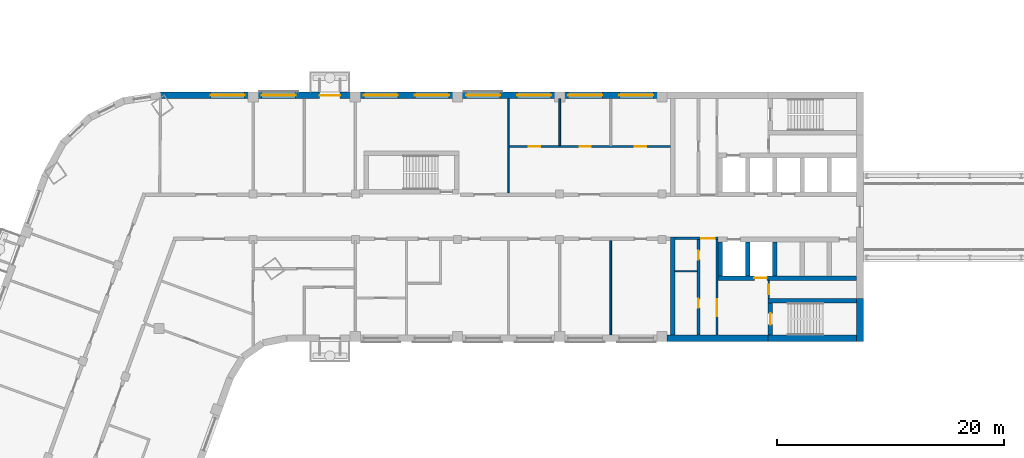
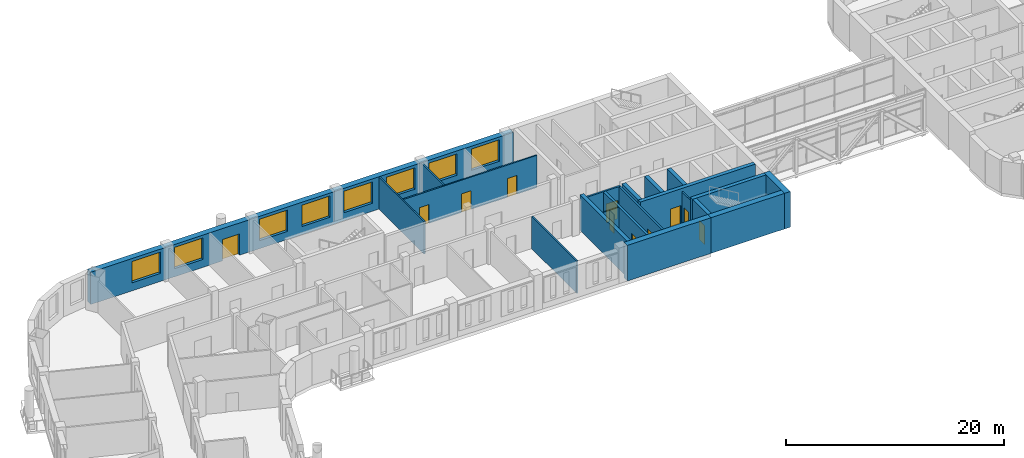
# One storey, part 8 of 18: 20 walls, 11 doors, 8 windows, 19 openings.
"""IFC4 building model written with IfcOpenShell, lengths in metres."""

from ifc_helpers import new_model, si_unit, direction, frame, frame_2d, origin, place, context, subcontext, project, spatial, rectangle, extrude, material, layer, layer_set, type_object, element, fill, save


model = new_model("IFC4")

# Units and contexts
model_context = context("Model", 3, precision=1e-05, world=origin(), true_north=direction((0.0, 1.0)))
body_context = subcontext(model_context, "Body", "Model", "MODEL_VIEW")
ifc_project = project(units=[si_unit("LENGTHUNIT", "METRE"), si_unit("AREAUNIT", "SQUARE_METRE"), si_unit("VOLUMEUNIT", "CUBIC_METRE"), si_unit("PLANEANGLEUNIT", "RADIAN"), si_unit("MASSUNIT", "GRAM", prefix="KILO")], contexts=[model_context])

# Site, building, storey
site_placement = place(None, origin())
site = spatial("IfcSite", under=ifc_project, at=site_placement, CompositionType="ELEMENT")
building_placement = place(site_placement, origin())
building = spatial("IfcBuilding", under=site, at=building_placement, Name="Skarvind Civic Tower", CompositionType="ELEMENT")
storey_placement = place(building_placement, frame((0.0, 0.0, 31.5)))
storey = spatial("IfcBuildingStorey", under=building, at=storey_placement, Name="L06", CompositionType="ELEMENT", Elevation=31.5)

# Wall, opening, door
ifc_material_1 = material(Name="Fire-rated masonry partition", Category="masonry")
ifc_layer_1 = layer(ifc_material_1, 0.199951171875)
ifc_layer_set_1 = layer_set([ifc_layer_1], Name="Core enclosure wall 200")
wall_type_1 = type_object("IfcWallType", Name="Core enclosure wall 200", PredefinedType="PARTITIONING", material=ifc_layer_set_1)
wall_1_placement = place(storey_placement, frame((95.199951171875, 126.10009765625, 0.0), z_axis=(0.0, 0.0, 1.0), x_axis=(-1.0, 0.0, 0.0)))
wall_1 = element("IfcWall", 1, at=wall_1_placement, inside=storey, type_object=wall_type_1, Name="Core wall C1", PredefinedType="PARTITIONING", context=body_context, shape_type="SweptSolid", body=[
    extrude(rectangle(XDim=3.800048828125, YDim=0.199951171875, at=frame_2d((1.89990234375, 0.0))), origin(), (0.0, 0.0, 1.0), 3.625),
])
opening_1_placement = place(wall_1_placement, frame((0.300048828125, 0.0, 0.0)))
opening_1 = element("IfcOpeningElement", 2, at=opening_1_placement, cuts=wall_1, Name="Opening D-L06-C1-05", PredefinedType="OPENING", context=body_context, shape_type="SweptSolid", body=[
    extrude(rectangle(XDim=1.199951171875, YDim=2.10009765625, at=frame_2d((0.60009765625, 1.050048828125))), frame((0.0, 0.10986328125, 0.0), z_axis=(0.0, -1.0, 0.0), x_axis=(1.0, 0.0, 0.0)), (0.0, 0.0, 1.0), 0.219970703125),
])
ifc_material_2 = material(Name="Fire-rated steel door", Category="steel")
door_type_1 = type_object("IfcDoorType", Name="Core lobby door 1200", OperationType="NOTDEFINED", PredefinedType="DOOR", material=ifc_material_2)
door_1_placement = place(opening_1_placement, origin())
door_1 = element("IfcDoor", 3, at=door_1_placement, inside=storey, type_object=door_type_1, Name="Fire door", OperationType="DOUBLE_DOOR_SINGLE_SWING", OverallHeight=2.10009765625, OverallWidth=1.199951171875, PredefinedType="DOOR", context=body_context, shape_type="SweptSolid", body=[
    extrude(rectangle(XDim=1.199951171875, YDim=2.10009765625, at=frame_2d((0.60009765625, 1.050048828125))), frame((0.0, 0.02490234375, 0.0), z_axis=(0.0, -1.0, 0.0), x_axis=(1.0, 0.0, 0.0)), (0.0, 0.0, 1.0), 0.050048828125),
])
fill(opening_1, door_1)

wall_2_placement = place(storey_placement, frame((95.10009765625, 117.60009765625, 0.0), z_axis=(0.0, 0.0, 1.0), x_axis=(0.0, 1.0, 0.0)))
wall_2 = element("IfcWall", 4, at=wall_2_placement, inside=storey, type_object=wall_type_1, Name="Core wall C1", PredefinedType="PARTITIONING", context=body_context, shape_type="SweptSolid", body=[
    extrude(rectangle(XDim=8.39990234375, YDim=0.199951171875, at=frame_2d((4.199951171875, 0.0))), origin(), (0.0, 0.0, 1.0), 3.625),
])
opening_2_placement = place(wall_2_placement, frame((1.64990234375, 0.0, 0.0)))
opening_2 = element("IfcOpeningElement", 5, at=opening_2_placement, cuts=wall_2, Name="Opening D-L06-C1-06", PredefinedType="OPENING", context=body_context, shape_type="SweptSolid", body=[
    extrude(rectangle(XDim=1.5, YDim=2.10009765625, at=frame_2d((0.75, 1.050048828125))), frame((0.0, 0.10986328125, 0.0), z_axis=(0.0, -1.0, 0.0), x_axis=(1.0, 0.0, 0.0)), (0.0, 0.0, 1.0), 0.219970703125),
])
door_type_2 = type_object("IfcDoorType", Name="Fire door 1500", OperationType="NOTDEFINED", PredefinedType="DOOR", material=ifc_material_2)
door_2_placement = place(opening_2_placement, origin())
door_2 = element("IfcDoor", 6, at=door_2_placement, inside=storey, type_object=door_type_2, Name="Fire door", OperationType="DOUBLE_DOOR_SINGLE_SWING", OverallHeight=2.10009765625, OverallWidth=1.5, PredefinedType="DOOR", context=body_context, shape_type="SweptSolid", body=[
    extrude(rectangle(XDim=1.5, YDim=2.10009765625, at=frame_2d((0.75, 1.050048828125))), frame((0.0, 0.02490234375, 0.0), z_axis=(0.0, -1.0, 0.0), x_axis=(1.0, 0.0, 0.0)), (0.0, 0.0, 1.0), 0.050048828125),
])
fill(opening_2, door_2)

# Walls
ifc_material_3 = material(Name="Fire-rated plasterboard partition")
ifc_layer_2 = layer(ifc_material_3, 0.10009765625)
ifc_layer_set_2 = layer_set([ifc_layer_2], Name="Core partition wall 100")
wall_type_2 = type_object("IfcWallType", Name="Core partition wall 100", PredefinedType="PARTITIONING", material=ifc_layer_set_2)
wall_3_placement = place(storey_placement, frame((93.35009765625, 123.199951171875, 0.0), z_axis=(0.0, 0.0, 1.0), x_axis=(-1.0, 0.0, 0.0)))
element("IfcWall", 7, at=wall_3_placement, inside=storey, type_object=wall_type_2, Name="Core wall C1", PredefinedType="PARTITIONING", context=body_context, shape_type="SweptSolid", body=[
    extrude(rectangle(XDim=1.9501953125, YDim=0.10009765625, at=frame_2d((0.97509765625, 0.0))), origin(), (0.0, 0.0, 1.0), 3.625),
])
ifc_material_4 = material(Name="Concrete C80", Category="concrete")
ifc_layer_3 = layer(ifc_material_4, 0.39990234375)
ifc_layer_set_3 = layer_set([ifc_layer_3], Name="Core wall 400 C80")
wall_type_3 = type_object("IfcWallType", Name="Core wall 400 C80", PredefinedType="SHEAR", material=ifc_layer_set_3)
wall_4_placement = place(storey_placement, frame((107.39990234375, 120.60009765625, 0.0), z_axis=(0.0, 0.0, 1.0), x_axis=(-1.0, 0.0, 0.0)))
element("IfcWall", 8, at=wall_4_placement, inside=storey, type_object=wall_type_3, Name="Core wall C1 north stair inner L06", PredefinedType="SHEAR", context=body_context, shape_type="SweptSolid", body=[
    extrude(rectangle(XDim=7.7998046875, YDim=0.39990234375, at=frame_2d((3.89990234375, 0.0))), origin(), (0.0, 0.0, 1.0), 4.0),
])

# Wall, opening, door
wall_5_placement = place(storey_placement, frame((99.800048828125, 120.39990234375, 0.0), z_axis=(0.0, 0.0, 1.0), x_axis=(0.0, -1.0, 0.0)))
wall_5 = element("IfcWall", 9, at=wall_5_placement, inside=storey, type_object=wall_type_3, Name="Core wall C1 north stair end L06", PredefinedType="SHEAR", context=body_context, shape_type="SweptSolid", body=[
    extrude(rectangle(XDim=2.7998046875, YDim=0.39990234375, at=frame_2d((1.39990234375, 0.0))), origin(), (0.0, 0.0, 1.0), 4.0),
])
opening_3_placement = place(wall_5_placement, frame((0.89990234375, 0.0, 0.0)))
opening_3 = element("IfcOpeningElement", 10, at=opening_3_placement, cuts=wall_5, Name="Opening D-L06-C1-07", PredefinedType="OPENING", context=body_context, shape_type="SweptSolid", body=[
    extrude(rectangle(XDim=1.0, YDim=2.10009765625, at=frame_2d((0.5, 1.050048828125))), frame((0.0, 0.2099609375, 0.0), z_axis=(0.0, -1.0, 0.0), x_axis=(1.0, 0.0, 0.0)), (0.0, 0.0, 1.0), 0.419921875),
])
door_type_3 = type_object("IfcDoorType", Name="Fire door 1000", OperationType="NOTDEFINED", PredefinedType="DOOR", material=ifc_material_2)
door_3_placement = place(opening_3_placement, origin())
door_3 = element("IfcDoor", 11, at=door_3_placement, inside=storey, type_object=door_type_3, Name="Fire door", OperationType="SINGLE_SWING_LEFT", OverallHeight=2.10009765625, OverallWidth=1.0, PredefinedType="DOOR", context=body_context, shape_type="SweptSolid", body=[
    extrude(rectangle(XDim=1.0, YDim=2.10009765625, at=frame_2d((0.5, 1.050048828125))), frame((0.0, 0.02490234375, 0.0), z_axis=(0.0, -1.0, 0.0), x_axis=(1.0, 0.0, 0.0)), (0.0, 0.0, 1.0), 0.050048828125),
])
fill(opening_3, door_3)

wall_6_placement = place(storey_placement, frame((107.39990234375, 122.60009765625, 0.0), z_axis=(0.0, 0.0, 1.0), x_axis=(-1.0, 0.0, 0.0)))
wall_6 = element("IfcWall", 12, at=wall_6_placement, inside=storey, type_object=wall_type_3, Name="Core wall C1 north lift row back L06", PredefinedType="SHEAR", context=body_context, shape_type="SweptSolid", body=[
    extrude(rectangle(XDim=12.199951171875, YDim=0.39990234375, at=frame_2d((6.10009765625, 0.0))), origin(), (0.0, 0.0, 1.0), 4.0),
])
opening_4_placement = place(wall_6_placement, frame((7.89990234375, 0.0, 0.0)))
opening_4 = element("IfcOpeningElement", 13, at=opening_4_placement, cuts=wall_6, Name="Opening LD08104", PredefinedType="OPENING", context=body_context, shape_type="SweptSolid", body=[
    extrude(rectangle(XDim=1.10009765625, YDim=2.10009765625, at=frame_2d((0.550048828125, 1.050048828125))), frame((0.0, 0.2099609375, 0.0), z_axis=(0.0, -1.0, 0.0), x_axis=(1.0, 0.0, 0.0)), (0.0, 0.0, 1.0), 0.419921875),
])
ifc_material_5 = material(Name="Stainless steel landing door", Category="steel")
door_type_4 = type_object("IfcDoorType", Name="Lift landing door 1100", OperationType="DOUBLE_DOOR_SLIDING", PredefinedType="DOOR", material=ifc_material_5)
door_4_placement = place(opening_4_placement, origin())
door_4 = element("IfcDoor", 14, at=door_4_placement, inside=storey, type_object=door_type_4, Name="Lift landing door", OperationType="DOUBLE_DOOR_SLIDING", OverallHeight=2.10009765625, OverallWidth=1.10009765625, PredefinedType="DOOR", context=body_context, shape_type="SweptSolid", body=[
    extrude(rectangle(XDim=1.10009765625, YDim=2.10009765625, at=frame_2d((0.550048828125, 1.050048828125))), frame((0.0, 0.02490234375, 0.0), z_axis=(0.0, -1.0, 0.0), x_axis=(1.0, 0.0, 0.0)), (0.0, 0.0, 1.0), 0.050048828125),
])
fill(opening_4, door_4)

# Walls
for number, where, z_axis, x_axis, name in (
    (15, (100.199951171875, 125.800048828125, 0.0), (0.0, 0.0, 1.0), (0.0, -1.0, 0.0), "Core wall C1 north lift row division 3 L06"),
    (16, (97.800048828125, 125.800048828125, 0.0), (0.0, 0.0, 1.0), (0.0, -1.0, 0.0), "Core wall C1 north lift row division 4 L06"),
    (17, (95.39990234375, 125.800048828125, 0.0), (0.0, 0.0, 1.0), (0.0, -1.0, 0.0), "Core wall C1 north lift row division 5 L06"),
):
    element("IfcWall", number, at=place(storey_placement, frame(where, z_axis=z_axis, x_axis=x_axis)), inside=storey, type_object=wall_type_3, Name=name, PredefinedType="SHEAR", context=body_context, shape_type="SweptSolid", body=[
        extrude(rectangle(XDim=3.0, YDim=0.39990234375, at=frame_2d((1.5, 0.0))), origin(), (0.0, 0.0, 1.0), 4.0),
    ])
wall_7_placement = place(storey_placement, frame((91.199951171875, 126.199951171875, 0.0), z_axis=(0.0, 0.0, 1.0), x_axis=(0.0, -1.0, 0.0)))
element("IfcWall", 18, at=wall_7_placement, inside=storey, type_object=wall_type_3, Name="Core wall C1 north inner face L06", PredefinedType="SHEAR", context=body_context, shape_type="SweptSolid", body=[
    extrude(rectangle(XDim=8.599853515625, YDim=0.39990234375, at=frame_2d((4.2998046875, 0.0))), origin(), (0.0, 0.0, 1.0), 4.0),
])
ifc_layer_4 = layer(ifc_material_4, 0.60009765625)
ifc_layer_set_4 = layer_set([ifc_layer_4], Name="Core wall 600 C80")
wall_type_4 = type_object("IfcWallType", Name="Core wall 600 C80", PredefinedType="SHEAR", material=ifc_layer_set_4)
wall_8_placement = place(storey_placement, frame((107.699951171875, 120.800048828125, 0.0), z_axis=(0.0, 0.0, 1.0), x_axis=(0.0, -1.0, 0.0)))
element("IfcWall", 19, at=wall_8_placement, inside=storey, type_object=wall_type_4, Name="Core wall C1 tip at the north stair L06", PredefinedType="SHEAR", context=body_context, shape_type="SweptSolid", body=[
    extrude(rectangle(XDim=3.800048828125, YDim=0.60009765625, at=frame_2d((1.89990234375, 0.0))), origin(), (0.0, 0.0, 1.0), 4.0),
])
wall_9_placement = place(storey_placement, frame((107.39990234375, 117.300048828125, 0.0), z_axis=(0.0, 0.0, 1.0), x_axis=(-1.0, 0.0, 0.0)))
element("IfcWall", 20, at=wall_9_placement, inside=storey, type_object=wall_type_4, Name="Core wall C1 north side at the stair L06", PredefinedType="SHEAR", context=body_context, shape_type="SweptSolid", body=[
    extrude(rectangle(XDim=7.7998046875, YDim=0.60009765625, at=frame_2d((3.89990234375, 0.0))), origin(), (0.0, 0.0, 1.0), 4.0),
])
wall_10_placement = place(storey_placement, frame((99.60009765625, 117.300048828125, 0.0), z_axis=(0.0, 0.0, 1.0), x_axis=(-1.0, 0.0, 0.0)))
element("IfcWall", 21, at=wall_10_placement, inside=storey, type_object=wall_type_4, Name="Core wall C1 north side L06", PredefinedType="SHEAR", context=body_context, shape_type="SweptSolid", body=[
    extrude(rectangle(XDim=8.900146484375, YDim=0.60009765625, at=frame_2d((4.4501953125, 0.0))), origin(), (0.0, 0.0, 1.0), 4.0),
])
ifc_material_6 = material(Name="Plasterboard partition on steel studs", Category="steel")
ifc_layer_5 = layer(ifc_material_6, 0.14990234375)
ifc_layer_set_5 = layer_set([ifc_layer_5], Name="PARTITION 150")
wall_type_5 = type_object("IfcWallType", Name="PARTITION 150", PredefinedType="PARTITIONING", material=ifc_layer_set_5)
wall_11_placement = place(storey_placement, frame((76.75, 130.10009765625, 0.0), z_axis=(0.0, 0.0, 1.0), x_axis=(0.0, 1.0, 0.0)))
element("IfcWall", 22, at=wall_11_placement, inside=storey, type_object=wall_type_5, Name="Partition 06.038", PredefinedType="PARTITIONING", context=body_context, shape_type="SweptSolid", body=[
    extrude(rectangle(XDim=8.2998046875, YDim=0.14990234375, at=frame_2d((4.14990234375, 0.0))), origin(), (0.0, 0.0, 1.0), 3.625),
])

# Wall, openings, doors
wall_12_placement = place(storey_placement, frame((91.0, 134.199951171875, 0.0), z_axis=(0.0, 0.0, 1.0), x_axis=(-1.0, 0.0, 0.0)))
wall_12 = element("IfcWall", 23, at=wall_12_placement, inside=storey, type_object=wall_type_5, Name="Partition 06.039", PredefinedType="PARTITIONING", context=body_context, shape_type="SweptSolid", body=[
    extrude(rectangle(XDim=14.175048828125, YDim=0.14990234375, at=frame_2d((7.08740234375, 0.0))), origin(), (0.0, 0.0, 1.0), 3.625),
])
opening_5_placement = place(wall_12_placement, frame((2.125, 0.0, 0.0)))
opening_5 = element("IfcOpeningElement", 24, at=opening_5_placement, cuts=wall_12, Name="Opening L06-D001", PredefinedType="OPENING", context=body_context, shape_type="SweptSolid", body=[
    extrude(rectangle(XDim=1.0, YDim=2.10009765625, at=frame_2d((0.5, 1.050048828125))), frame((0.0, 0.0849609375, 0.0), z_axis=(0.0, -1.0, 0.0), x_axis=(1.0, 0.0, 0.0)), (0.0, 0.0, 1.0), 0.169921875),
])
opening_6_placement = place(wall_12_placement, frame((7.0, 0.0, 0.0)))
opening_6 = element("IfcOpeningElement", 25, at=opening_6_placement, cuts=wall_12, Name="Opening L06-D002", PredefinedType="OPENING", context=body_context, shape_type="SweptSolid", body=[
    extrude(rectangle(XDim=1.0, YDim=2.10009765625, at=frame_2d((0.5, 1.050048828125))), frame((0.0, 0.0849609375, 0.0), z_axis=(0.0, -1.0, 0.0), x_axis=(1.0, 0.0, 0.0)), (0.0, 0.0, 1.0), 0.169921875),
])
opening_7_placement = place(wall_12_placement, frame((11.472412109375, 0.0, 0.0)))
opening_7 = element("IfcOpeningElement", 26, at=opening_7_placement, cuts=wall_12, Name="Opening L06-D003", PredefinedType="OPENING", context=body_context, shape_type="SweptSolid", body=[
    extrude(rectangle(XDim=1.0, YDim=2.10009765625, at=frame_2d((0.5, 1.050048828125))), frame((0.0, 0.0849609375, 0.0), z_axis=(0.0, -1.0, 0.0), x_axis=(1.0, 0.0, 0.0)), (0.0, 0.0, 1.0), 0.169921875),
])
ifc_material_7 = material(Name="Timber door leaf", Category="wood")
door_type_5 = type_object("IfcDoorType", Name="D1 1000x2100", OperationType="NOTDEFINED", PredefinedType="DOOR", material=ifc_material_7)
door_5_placement = place(opening_5_placement, origin())
door_5 = element("IfcDoor", 27, at=door_5_placement, inside=storey, type_object=door_type_5, Name="Door L06-D001", OperationType="SINGLE_SWING_LEFT", OverallHeight=2.10009765625, OverallWidth=1.0, PredefinedType="DOOR", context=body_context, shape_type="SweptSolid", body=[
    extrude(rectangle(XDim=1.0, YDim=2.10009765625, at=frame_2d((0.5, 1.050048828125))), frame((0.0, 0.02490234375, 0.0), z_axis=(0.0, -1.0, 0.0), x_axis=(1.0, 0.0, 0.0)), (0.0, 0.0, 1.0), 0.050048828125),
])
fill(opening_5, door_5)
door_6_placement = place(opening_6_placement, origin())
door_6 = element("IfcDoor", 28, at=door_6_placement, inside=storey, type_object=door_type_5, Name="Door L06-D002", OperationType="SINGLE_SWING_RIGHT", OverallHeight=2.10009765625, OverallWidth=1.0, PredefinedType="DOOR", context=body_context, shape_type="SweptSolid", body=[
    extrude(rectangle(XDim=1.0, YDim=2.10009765625, at=frame_2d((0.5, 1.050048828125))), frame((0.0, 0.02490234375, 0.0), z_axis=(0.0, -1.0, 0.0), x_axis=(1.0, 0.0, 0.0)), (0.0, 0.0, 1.0), 0.050048828125),
])
fill(opening_6, door_6)
door_7_placement = place(opening_7_placement, origin())
door_7 = element("IfcDoor", 29, at=door_7_placement, inside=storey, type_object=door_type_5, Name="Door L06-D003", OperationType="SINGLE_SWING_LEFT", OverallHeight=2.10009765625, OverallWidth=1.0, PredefinedType="DOOR", context=body_context, shape_type="SweptSolid", body=[
    extrude(rectangle(XDim=1.0, YDim=2.10009765625, at=frame_2d((0.5, 1.050048828125))), frame((0.0, 0.02490234375, 0.0), z_axis=(0.0, -1.0, 0.0), x_axis=(1.0, 0.0, 0.0)), (0.0, 0.0, 1.0), 0.050048828125),
])
fill(opening_7, door_7)

# Walls
wall_13_placement = place(storey_placement, frame((81.25, 134.27490234375, 0.0), z_axis=(0.0, 0.0, 1.0), x_axis=(0.0, 1.0, 0.0)))
element("IfcWall", 30, at=wall_13_placement, inside=storey, type_object=wall_type_5, Name="Partition 06.041", PredefinedType="PARTITIONING", context=body_context, shape_type="SweptSolid", body=[
    extrude(rectangle(XDim=4.125, YDim=0.14990234375, at=frame_2d((2.0625, 0.0))), origin(), (0.0, 0.0, 1.0), 3.625),
])
wall_14_placement = place(storey_placement, frame((85.75, 117.60009765625, 0.0), z_axis=(0.0, 0.0, 1.0), x_axis=(0.0, 1.0, 0.0)))
element("IfcWall", 31, at=wall_14_placement, inside=storey, type_object=wall_type_5, Name="Partition 06.042", PredefinedType="PARTITIONING", context=body_context, shape_type="SweptSolid", body=[
    extrude(rectangle(XDim=8.2998046875, YDim=0.14990234375, at=frame_2d((4.14990234375, 0.0))), origin(), (0.0, 0.0, 1.0), 3.625),
])

# Wall, opening, door
ifc_layer_6 = layer(ifc_material_1, 0.125)
ifc_layer_set_6 = layer_set([ifc_layer_6], Name="Riser wall 125")
wall_type_6 = type_object("IfcWallType", Name="Riser wall 125", PredefinedType="PARTITIONING", material=ifc_layer_set_6)
wall_15_placement = place(storey_placement, frame((99.66259765625, 120.800048828125, 0.0), z_axis=(0.0, 0.0, 1.0), x_axis=(0.0, 1.0, 0.0)))
wall_15 = element("IfcWall", 32, at=wall_15_placement, inside=storey, type_object=wall_type_6, Name="Core wall C1", PredefinedType="PARTITIONING", context=body_context, shape_type="SweptSolid", body=[
    extrude(rectangle(XDim=1.599853515625, YDim=0.125, at=frame_2d((0.7998046875, 0.0))), origin(), (0.0, 0.0, 1.0), 3.625),
])
opening_8_placement = place(wall_15_placement, frame((0.39990234375, 0.0, 0.0)))
opening_8 = element("IfcOpeningElement", 33, at=opening_8_placement, cuts=wall_15, Name="Opening D-L06-C1-08", PredefinedType="OPENING", context=body_context, shape_type="SweptSolid", body=[
    extrude(rectangle(XDim=0.800048828125, YDim=2.10009765625, at=frame_2d((0.39990234375, 1.050048828125))), frame((0.0, 0.072509765625, 0.0), z_axis=(0.0, -1.0, 0.0), x_axis=(1.0, 0.0, 0.0)), (0.0, 0.0, 1.0), 0.14501953125),
])
door_type_6 = type_object("IfcDoorType", Name="Core riser door 800", OperationType="NOTDEFINED", PredefinedType="DOOR", material=ifc_material_2)
door_8_placement = place(opening_8_placement, origin())
door_8 = element("IfcDoor", 34, at=door_8_placement, inside=storey, type_object=door_type_6, Name="Riser door", OperationType="SINGLE_SWING_RIGHT", OverallHeight=2.10009765625, OverallWidth=0.800048828125, PredefinedType="DOOR", context=body_context, shape_type="SweptSolid", body=[
    extrude(rectangle(XDim=0.800048828125, YDim=2.10009765625, at=frame_2d((0.39990234375, 1.050048828125))), frame((0.0, 0.02490234375, 0.0), z_axis=(0.0, -1.0, 0.0), x_axis=(1.0, 0.0, 0.0)), (0.0, 0.0, 1.0), 0.050048828125),
])
fill(opening_8, door_8)

# Wall, openings, doors
ifc_layer_7 = layer(ifc_material_1, 0.25)
ifc_layer_set_7 = layer_set([ifc_layer_7], Name="Service block wall 250")
wall_type_7 = type_object("IfcWallType", Name="Service block wall 250", PredefinedType="PARTITIONING", material=ifc_layer_set_7)
wall_16_placement = place(storey_placement, frame((93.47509765625, 117.60009765625, 0.0), z_axis=(0.0, 0.0, 1.0), x_axis=(0.0, 1.0, 0.0)))
wall_16 = element("IfcWall", 35, at=wall_16_placement, inside=storey, type_object=wall_type_7, Name="Core wall C1", PredefinedType="PARTITIONING", context=body_context, shape_type="SweptSolid", body=[
    extrude(rectangle(XDim=8.39990234375, YDim=0.25, at=frame_2d((4.199951171875, 0.0))), origin(), (0.0, 0.0, 1.0), 3.625),
])
opening_9_placement = place(wall_16_placement, frame((6.625, 0.0, 0.0)))
opening_9 = element("IfcOpeningElement", 36, at=opening_9_placement, cuts=wall_16, Name="Opening D-L06-C1-09", PredefinedType="OPENING", context=body_context, shape_type="SweptSolid", body=[
    extrude(rectangle(XDim=0.800048828125, YDim=2.10009765625, at=frame_2d((0.39990234375, 1.050048828125))), frame((0.0, 0.135009765625, 0.0), z_axis=(0.0, -1.0, 0.0), x_axis=(1.0, 0.0, 0.0)), (0.0, 0.0, 1.0), 0.27001953125),
])
opening_10_placement = place(wall_16_placement, frame((2.375, 0.0, 0.0)))
opening_10 = element("IfcOpeningElement", 37, at=opening_10_placement, cuts=wall_16, Name="Opening D-L06-C1-10", PredefinedType="OPENING", context=body_context, shape_type="SweptSolid", body=[
    extrude(rectangle(XDim=0.800048828125, YDim=2.10009765625, at=frame_2d((0.39990234375, 1.050048828125))), frame((0.0, 0.135009765625, 0.0), z_axis=(0.0, -1.0, 0.0), x_axis=(1.0, 0.0, 0.0)), (0.0, 0.0, 1.0), 0.27001953125),
])
door_9_placement = place(opening_9_placement, origin())
door_9 = element("IfcDoor", 38, at=door_9_placement, inside=storey, type_object=door_type_6, Name="Riser door", OperationType="SINGLE_SWING_LEFT", OverallHeight=2.10009765625, OverallWidth=0.800048828125, PredefinedType="DOOR", context=body_context, shape_type="SweptSolid", body=[
    extrude(rectangle(XDim=0.800048828125, YDim=2.10009765625, at=frame_2d((0.39990234375, 1.050048828125))), frame((0.0, 0.02490234375, 0.0), z_axis=(0.0, -1.0, 0.0), x_axis=(1.0, 0.0, 0.0)), (0.0, 0.0, 1.0), 0.050048828125),
])
fill(opening_9, door_9)
door_10_placement = place(opening_10_placement, origin())
door_10 = element("IfcDoor", 39, at=door_10_placement, inside=storey, type_object=door_type_6, Name="Riser door", OperationType="SINGLE_SWING_RIGHT", OverallHeight=2.10009765625, OverallWidth=0.800048828125, PredefinedType="DOOR", context=body_context, shape_type="SweptSolid", body=[
    extrude(rectangle(XDim=0.800048828125, YDim=2.10009765625, at=frame_2d((0.39990234375, 1.050048828125))), frame((0.0, 0.02490234375, 0.0), z_axis=(0.0, -1.0, 0.0), x_axis=(1.0, 0.0, 0.0)), (0.0, 0.0, 1.0), 0.050048828125),
])
fill(opening_10, door_10)

# Wall, openings, door, windows
ifc_material_8 = material(Name="Limestone masonry cladding on insulated backing", Category="masonry")
ifc_layer_8 = layer(ifc_material_8, 0.60009765625)
ifc_layer_set_8 = layer_set([ifc_layer_8], Name="WX1 STONE FACADE WALL 600")
wall_type_8 = type_object("IfcWallType", Name="WX1 STONE FACADE WALL 600", PredefinedType="SOLIDWALL", material=ifc_layer_set_8)
wall_17_placement = place(storey_placement, frame((46.095458984375, 138.699951171875, 0.0), z_axis=(0.0, 0.0, 1.0), x_axis=(1.0, 0.0, 0.0)))
wall_17 = element("IfcWall", 40, at=wall_17_placement, inside=storey, type_object=wall_type_8, Name="STONE FACADE WALL", PredefinedType="SOLIDWALL", context=body_context, shape_type="SweptSolid", body=[
    extrude(rectangle(XDim=44.884521484375, YDim=0.60009765625, at=frame_2d((22.4423828125, 0.0))), origin(), (0.0, 0.0, 1.0), 3.625),
])
opening_11_placement = place(wall_17_placement, frame((4.404541015625, 0.0, 0.89990234375)))
opening_11 = element("IfcOpeningElement", 41, at=opening_11_placement, cuts=wall_17, Name="Opening WN1", PredefinedType="OPENING", context=body_context, shape_type="SweptSolid", body=[
    extrude(rectangle(XDim=3.0, YDim=2.39990234375, at=frame_2d((1.5, 1.199951171875))), frame((0.0, 0.31005859375, 0.0), z_axis=(0.0, -1.0, 0.0), x_axis=(1.0, 0.0, 0.0)), (0.0, 0.0, 1.0), 0.6201171875),
])
opening_12_placement = place(wall_17_placement, frame((8.904541015625, 0.0, 0.89990234375)))
opening_12 = element("IfcOpeningElement", 42, at=opening_12_placement, cuts=wall_17, Name="Opening WN1", PredefinedType="OPENING", context=body_context, shape_type="SweptSolid", body=[
    extrude(rectangle(XDim=3.0, YDim=2.39990234375, at=frame_2d((1.5, 1.199951171875))), frame((0.0, 0.31005859375, 0.0), z_axis=(0.0, -1.0, 0.0), x_axis=(1.0, 0.0, 0.0)), (0.0, 0.0, 1.0), 0.6201171875),
])
opening_13_placement = place(wall_17_placement, frame((14.00439453125, 0.0, 0.0)))
opening_13 = element("IfcOpeningElement", 43, at=opening_13_placement, cuts=wall_17, Name="Opening DX3", PredefinedType="OPENING", context=body_context, shape_type="SweptSolid", body=[
    extrude(rectangle(XDim=1.800048828125, YDim=2.39990234375, at=frame_2d((0.89990234375, 1.199951171875))), frame((0.0, 0.31005859375, 0.0), z_axis=(0.0, -1.0, 0.0), x_axis=(1.0, 0.0, 0.0)), (0.0, 0.0, 1.0), 0.6201171875),
])
opening_14_placement = place(wall_17_placement, frame((17.904541015625, 0.0, 0.89990234375)))
opening_14 = element("IfcOpeningElement", 44, at=opening_14_placement, cuts=wall_17, Name="Opening WN1", PredefinedType="OPENING", context=body_context, shape_type="SweptSolid", body=[
    extrude(rectangle(XDim=3.0, YDim=2.39990234375, at=frame_2d((1.5, 1.199951171875))), frame((0.0, 0.31005859375, 0.0), z_axis=(0.0, -1.0, 0.0), x_axis=(1.0, 0.0, 0.0)), (0.0, 0.0, 1.0), 0.6201171875),
])
opening_15_placement = place(wall_17_placement, frame((22.404541015625, 0.0, 0.89990234375)))
opening_15 = element("IfcOpeningElement", 45, at=opening_15_placement, cuts=wall_17, Name="Opening WN1", PredefinedType="OPENING", context=body_context, shape_type="SweptSolid", body=[
    extrude(rectangle(XDim=3.0, YDim=2.39990234375, at=frame_2d((1.5, 1.199951171875))), frame((0.0, 0.31005859375, 0.0), z_axis=(0.0, -1.0, 0.0), x_axis=(1.0, 0.0, 0.0)), (0.0, 0.0, 1.0), 0.6201171875),
])
opening_16_placement = place(wall_17_placement, frame((26.904541015625, 0.0, 0.89990234375)))
opening_16 = element("IfcOpeningElement", 46, at=opening_16_placement, cuts=wall_17, Name="Opening WN1", PredefinedType="OPENING", context=body_context, shape_type="SweptSolid", body=[
    extrude(rectangle(XDim=3.0, YDim=2.39990234375, at=frame_2d((1.5, 1.199951171875))), frame((0.0, 0.31005859375, 0.0), z_axis=(0.0, -1.0, 0.0), x_axis=(1.0, 0.0, 0.0)), (0.0, 0.0, 1.0), 0.6201171875),
])
opening_17_placement = place(wall_17_placement, frame((31.404541015625, 0.0, 0.89990234375)))
opening_17 = element("IfcOpeningElement", 47, at=opening_17_placement, cuts=wall_17, Name="Opening WN1", PredefinedType="OPENING", context=body_context, shape_type="SweptSolid", body=[
    extrude(rectangle(XDim=3.0, YDim=2.39990234375, at=frame_2d((1.5, 1.199951171875))), frame((0.0, 0.31005859375, 0.0), z_axis=(0.0, -1.0, 0.0), x_axis=(1.0, 0.0, 0.0)), (0.0, 0.0, 1.0), 0.6201171875),
])
opening_18_placement = place(wall_17_placement, frame((35.904541015625, 0.0, 0.89990234375)))
opening_18 = element("IfcOpeningElement", 48, at=opening_18_placement, cuts=wall_17, Name="Opening WN1", PredefinedType="OPENING", context=body_context, shape_type="SweptSolid", body=[
    extrude(rectangle(XDim=3.0, YDim=2.39990234375, at=frame_2d((1.5, 1.199951171875))), frame((0.0, 0.31005859375, 0.0), z_axis=(0.0, -1.0, 0.0), x_axis=(1.0, 0.0, 0.0)), (0.0, 0.0, 1.0), 0.6201171875),
])
opening_19_placement = place(wall_17_placement, frame((40.404541015625, 0.0, 0.89990234375)))
opening_19 = element("IfcOpeningElement", 49, at=opening_19_placement, cuts=wall_17, Name="Opening WN1", PredefinedType="OPENING", context=body_context, shape_type="SweptSolid", body=[
    extrude(rectangle(XDim=3.0, YDim=2.39990234375, at=frame_2d((1.5, 1.199951171875))), frame((0.0, 0.31005859375, 0.0), z_axis=(0.0, -1.0, 0.0), x_axis=(1.0, 0.0, 0.0)), (0.0, 0.0, 1.0), 0.6201171875),
])
ifc_material_9 = material(Name="Timber and glass doorset", Category="wood")
door_type_7 = type_object("IfcDoorType", Name="DX3 TERRACE DOORS 1800 x 2400", OperationType="NOTDEFINED", PredefinedType="DOOR", material=ifc_material_9)
door_11_placement = place(opening_13_placement, origin())
door_11 = element("IfcDoor", 50, at=door_11_placement, inside=storey, type_object=door_type_7, Name="TERRACE DOORS", OperationType="DOUBLE_DOOR_SINGLE_SWING", OverallHeight=2.39990234375, OverallWidth=1.800048828125, PredefinedType="DOOR", context=body_context, shape_type="SweptSolid", body=[
    extrude(rectangle(XDim=1.800048828125, YDim=2.39990234375, at=frame_2d((0.89990234375, 1.199951171875))), frame((0.0, 0.02490234375, 0.0), z_axis=(0.0, -1.0, 0.0), x_axis=(1.0, 0.0, 0.0)), (0.0, 0.0, 1.0), 0.050048828125),
])
fill(opening_13, door_11)
ifc_material_10 = material(Name="Timber frame, double glazing, timber-lined reveal", Category="wood")
window_type = type_object("IfcWindowType", Name="WN1 PUNCHED STONE WINDOW 3000 x 2400", PartitioningType="SINGLE_PANEL", PredefinedType="WINDOW", material=ifc_material_10)
window_1_placement = place(opening_11_placement, origin())
window_1 = element("IfcWindow", 51, at=window_1_placement, inside=storey, type_object=window_type, Name="WN1 WINDOW", OverallHeight=2.39990234375, OverallWidth=3.0, PartitioningType="SINGLE_PANEL", PredefinedType="WINDOW", context=body_context, shape_type="SweptSolid", body=[
    extrude(rectangle(XDim=3.0, YDim=2.39990234375, at=frame_2d((1.5, 1.199951171875))), frame((0.0, 0.030029296875, 0.0), z_axis=(0.0, -1.0, 0.0), x_axis=(1.0, 0.0, 0.0)), (0.0, 0.0, 1.0), 0.06005859375),
])
fill(opening_11, window_1)
window_2_placement = place(opening_12_placement, origin())
window_2 = element("IfcWindow", 52, at=window_2_placement, inside=storey, type_object=window_type, Name="WN1 WINDOW", OverallHeight=2.39990234375, OverallWidth=3.0, PartitioningType="SINGLE_PANEL", PredefinedType="WINDOW", context=body_context, shape_type="SweptSolid", body=[
    extrude(rectangle(XDim=3.0, YDim=2.39990234375, at=frame_2d((1.5, 1.199951171875))), frame((0.0, 0.030029296875, 0.0), z_axis=(0.0, -1.0, 0.0), x_axis=(1.0, 0.0, 0.0)), (0.0, 0.0, 1.0), 0.06005859375),
])
fill(opening_12, window_2)
window_3_placement = place(opening_14_placement, origin())
window_3 = element("IfcWindow", 53, at=window_3_placement, inside=storey, type_object=window_type, Name="WN1 WINDOW", OverallHeight=2.39990234375, OverallWidth=3.0, PartitioningType="SINGLE_PANEL", PredefinedType="WINDOW", context=body_context, shape_type="SweptSolid", body=[
    extrude(rectangle(XDim=3.0, YDim=2.39990234375, at=frame_2d((1.5, 1.199951171875))), frame((0.0, 0.030029296875, 0.0), z_axis=(0.0, -1.0, 0.0), x_axis=(1.0, 0.0, 0.0)), (0.0, 0.0, 1.0), 0.06005859375),
])
fill(opening_14, window_3)
window_4_placement = place(opening_15_placement, origin())
window_4 = element("IfcWindow", 54, at=window_4_placement, inside=storey, type_object=window_type, Name="WN1 WINDOW", OverallHeight=2.39990234375, OverallWidth=3.0, PartitioningType="SINGLE_PANEL", PredefinedType="WINDOW", context=body_context, shape_type="SweptSolid", body=[
    extrude(rectangle(XDim=3.0, YDim=2.39990234375, at=frame_2d((1.5, 1.199951171875))), frame((0.0, 0.030029296875, 0.0), z_axis=(0.0, -1.0, 0.0), x_axis=(1.0, 0.0, 0.0)), (0.0, 0.0, 1.0), 0.06005859375),
])
fill(opening_15, window_4)
window_5_placement = place(opening_16_placement, origin())
window_5 = element("IfcWindow", 55, at=window_5_placement, inside=storey, type_object=window_type, Name="WN1 WINDOW", OverallHeight=2.39990234375, OverallWidth=3.0, PartitioningType="SINGLE_PANEL", PredefinedType="WINDOW", context=body_context, shape_type="SweptSolid", body=[
    extrude(rectangle(XDim=3.0, YDim=2.39990234375, at=frame_2d((1.5, 1.199951171875))), frame((0.0, 0.030029296875, 0.0), z_axis=(0.0, -1.0, 0.0), x_axis=(1.0, 0.0, 0.0)), (0.0, 0.0, 1.0), 0.06005859375),
])
fill(opening_16, window_5)
window_6_placement = place(opening_17_placement, origin())
window_6 = element("IfcWindow", 56, at=window_6_placement, inside=storey, type_object=window_type, Name="WN1 WINDOW", OverallHeight=2.39990234375, OverallWidth=3.0, PartitioningType="SINGLE_PANEL", PredefinedType="WINDOW", context=body_context, shape_type="SweptSolid", body=[
    extrude(rectangle(XDim=3.0, YDim=2.39990234375, at=frame_2d((1.5, 1.199951171875))), frame((0.0, 0.030029296875, 0.0), z_axis=(0.0, -1.0, 0.0), x_axis=(1.0, 0.0, 0.0)), (0.0, 0.0, 1.0), 0.06005859375),
])
fill(opening_17, window_6)
window_7_placement = place(opening_18_placement, origin())
window_7 = element("IfcWindow", 57, at=window_7_placement, inside=storey, type_object=window_type, Name="WN1 WINDOW", OverallHeight=2.39990234375, OverallWidth=3.0, PartitioningType="SINGLE_PANEL", PredefinedType="WINDOW", context=body_context, shape_type="SweptSolid", body=[
    extrude(rectangle(XDim=3.0, YDim=2.39990234375, at=frame_2d((1.5, 1.199951171875))), frame((0.0, 0.030029296875, 0.0), z_axis=(0.0, -1.0, 0.0), x_axis=(1.0, 0.0, 0.0)), (0.0, 0.0, 1.0), 0.06005859375),
])
fill(opening_18, window_7)
window_8_placement = place(opening_19_placement, origin())
window_8 = element("IfcWindow", 58, at=window_8_placement, inside=storey, type_object=window_type, Name="WN1 WINDOW", OverallHeight=2.39990234375, OverallWidth=3.0, PartitioningType="SINGLE_PANEL", PredefinedType="WINDOW", context=body_context, shape_type="SweptSolid", body=[
    extrude(rectangle(XDim=3.0, YDim=2.39990234375, at=frame_2d((1.5, 1.199951171875))), frame((0.0, 0.030029296875, 0.0), z_axis=(0.0, -1.0, 0.0), x_axis=(1.0, 0.0, 0.0)), (0.0, 0.0, 1.0), 0.06005859375),
])
fill(opening_19, window_8)

save(model, "model.ifc")
